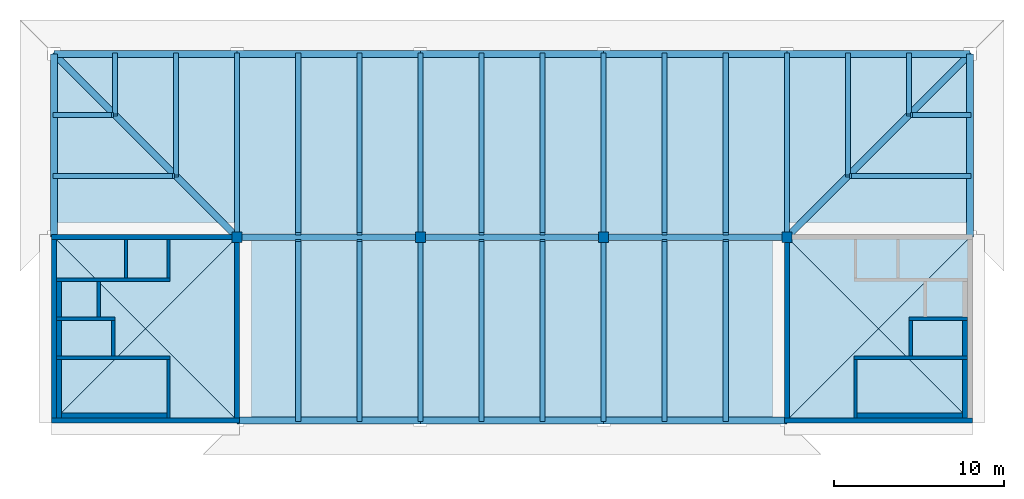
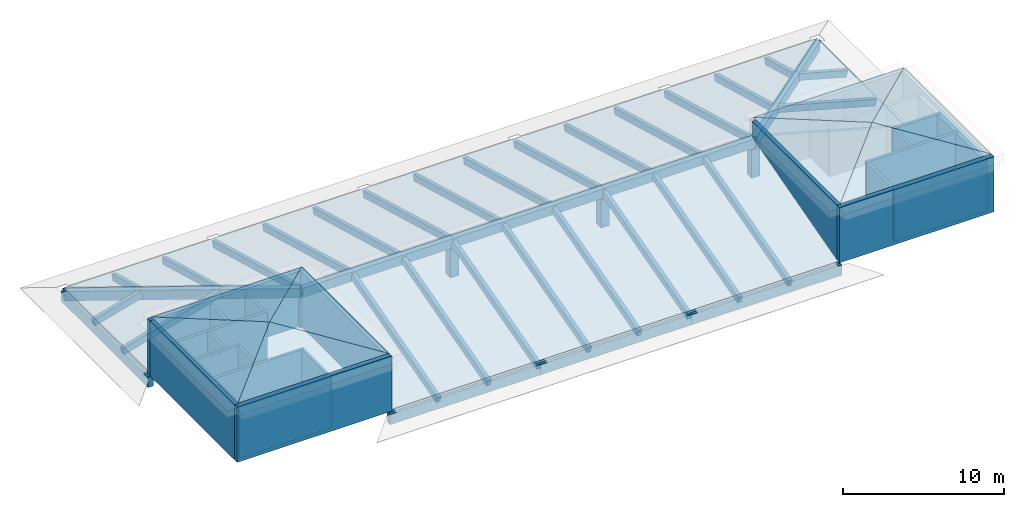
# One storey, part 1 of 3: 41 beams, 25 walls, 12 slabs, 4 columns.
"""IFC4 building model written with IfcOpenShell, lengths in metres."""

from ifc_helpers import new_model, si_unit, direction, frame, frame_2d, origin, origin_2d, place, context, subcontext, project, spatial, polyline, rectangle, outline, extrude, material, layer, layer_set, material_profile, profile_set, type_object, element, save


model = new_model("IFC4")

# Units and contexts
model_context = context("Model", 3, precision=1e-05, world=origin(), true_north=direction((0.0, 1.0)))
body_context = subcontext(model_context, "Body", "Model", "MODEL_VIEW")
ifc_project = project(units=[si_unit("LENGTHUNIT", "METRE"), si_unit("AREAUNIT", "SQUARE_METRE"), si_unit("VOLUMEUNIT", "CUBIC_METRE"), si_unit("PLANEANGLEUNIT", "RADIAN"), si_unit("MASSUNIT", "GRAM", prefix="KILO")], contexts=[model_context])

# Site, building, storey
site_placement = place(None, origin())
site = spatial("IfcSite", under=ifc_project, at=site_placement, CompositionType="ELEMENT")
building_placement = place(site_placement, origin())
building = spatial("IfcBuilding", under=site, at=building_placement, Name="Magnolia Steps Interchange", CompositionType="ELEMENT")
storey_placement = place(building_placement, frame((0.0, 0.0, 28.199951171875)))
storey = spatial("IfcBuildingStorey", under=building, at=storey_placement, Name="RF", CompositionType="ELEMENT", Elevation=28.199951171875)

# Columns
ifc_material_1 = material(Name="Concrete C40", Category="concrete")
ifc_material_profile_1 = material_profile(ifc_material_1, rectangle(XDim=0.60009765625, YDim=0.60009765625, at=origin_2d()), Name="RC600x600")
ifc_profile_set_1 = profile_set([ifc_material_profile_1], Name="Concrete C40")
column_type = type_object("IfcColumnType", Name="RC column 600x600", PredefinedType="COLUMN", material=ifc_profile_set_1)
for number, where, z_axis, x_axis, name in (
    (1, (74.800048828125, 107.199951171875, 0.0), (0.0, 0.0, 1.0), (1.0, 0.0, 0.0), "Ridge column OPE-7J"),
    (2, (85.60009765625, 107.199951171875, 0.0), (0.0, 0.0, 1.0), (1.0, 0.0, 0.0), "Ridge column OPE-8J"),
    (3, (96.39990234375, 107.199951171875, 0.0), (0.0, 0.0, 1.0), (1.0, 0.0, 0.0), "Ridge column OPE-9J"),
    (4, (107.199951171875, 107.199951171875, 0.0), (0.0, 0.0, 1.0), (1.0, 0.0, 0.0), "Ridge column OPE-10J"),
):
    element("IfcColumn", number, at=place(storey_placement, frame(where, z_axis=z_axis, x_axis=x_axis)), inside=storey, type_object=column_type, Name=name, PredefinedType="COLUMN", context=body_context, shape_type="SweptSolid", body=[
        extrude(rectangle(XDim=0.60009765625, YDim=0.60009765625, at=origin_2d()), origin(), (0.0, 0.0, 1.0), 2.150146484375),
    ])

# Beams
ifc_material_2 = material(Name="Concrete C40", Category="concrete")
ifc_material_profile_2 = material_profile(ifc_material_2, rectangle(XDim=0.39990234375, YDim=0.800048828125, at=origin_2d()), Name="RC400x800")
ifc_profile_set_2 = profile_set([ifc_material_profile_2], Name="Concrete C40")
beam_type_1 = type_object("IfcBeamType", Name="Eaves ring beam 400x800", PredefinedType="BEAM", material=ifc_profile_set_2)
for number, where, z_axis, x_axis, name in (
    (5, (64.0, 118.0, -0.550048828125), (1.0, 0.0, 0.0), (0.0, 1.0, 0.0), "Eaves ring beam"),
    (6, (74.800048828125, 96.39990234375, -0.550048828125), (1.0, 0.0, 0.0), (0.0, 1.0, 0.0), "Eaves ring beam"),
    (7, (74.800048828125, 118.0, -0.550048828125), (1.0, 0.0, 0.0), (0.0, 1.0, 0.0), "Eaves ring beam"),
):
    element("IfcBeam", number, at=place(storey_placement, frame(where, z_axis=z_axis, x_axis=x_axis)), inside=storey, type_object=beam_type_1, Name=name, PredefinedType="BEAM", context=body_context, shape_type="SweptSolid", body=[
        extrude(rectangle(XDim=0.39990234375, YDim=0.800048828125, at=origin_2d()), origin(), (0.0, 0.0, 1.0), 10.800048828125),
    ])
for number, where, z_axis, x_axis, name in (
    (8, (85.60009765625, 96.39990234375, -0.550048828125), (1.0, 0.0, 0.0), (0.0, 1.0, 0.0), "Eaves ring beam"),
    (9, (85.60009765625, 118.0, -0.550048828125), (1.0, 0.0, 0.0), (0.0, 1.0, 0.0), "Eaves ring beam"),
):
    element("IfcBeam", number, at=place(storey_placement, frame(where, z_axis=z_axis, x_axis=x_axis)), inside=storey, type_object=beam_type_1, Name=name, PredefinedType="BEAM", context=body_context, shape_type="SweptSolid", body=[
        extrude(rectangle(XDim=0.39990234375, YDim=0.800048828125, at=origin_2d()), origin(), (0.0, 0.0, 1.0), 10.7998046875),
    ])
for number, where, z_axis, x_axis, name in (
    (10, (96.39990234375, 96.39990234375, -0.550048828125), (1.0, 0.0, 0.0), (0.0, 1.0, 0.0), "Eaves ring beam"),
    (11, (96.39990234375, 118.0, -0.550048828125), (1.0, 0.0, 0.0), (0.0, 1.0, 0.0), "Eaves ring beam"),
    (12, (107.199951171875, 118.0, -0.550048828125), (1.0, 0.0, 0.0), (0.0, 1.0, 0.0), "Eaves ring beam"),
    (13, (64.0, 107.199951171875, -0.550048828125), (0.0, 1.0, 0.0), (-1.0, 0.0, 0.0), "Eaves ring beam"),
    (14, (118.0, 107.199951171875, -0.550048828125), (0.0, 1.0, 0.0), (-1.0, 0.0, 0.0), "Eaves ring beam"),
):
    element("IfcBeam", number, at=place(storey_placement, frame(where, z_axis=z_axis, x_axis=x_axis)), inside=storey, type_object=beam_type_1, Name=name, PredefinedType="BEAM", context=body_context, shape_type="SweptSolid", body=[
        extrude(rectangle(XDim=0.39990234375, YDim=0.800048828125, at=origin_2d()), origin(), (0.0, 0.0, 1.0), 10.800048828125),
    ])
ifc_material_3 = material(Name="Concrete C40", Category="concrete")
ifc_material_profile_3 = material_profile(ifc_material_3, rectangle(XDim=0.39990234375, YDim=0.699951171875, at=origin_2d()), Name="RC400x700")
ifc_profile_set_3 = profile_set([ifc_material_profile_3], Name="Concrete C40")
beam_type_2 = type_object("IfcBeamType", Name="Hip beam 400x700", PredefinedType="BEAM", material=ifc_profile_set_3)
for number, where, z_axis, x_axis, name in (
    (15, (64.0, 118.0, -0.509521484375), (0.693849126571, -0.693849126571, 0.192734997113), (0.707106781187, 0.707106781187, 0.0), "Hip beam"),
    (16, (118.0, 118.0, -0.509521484375), (-0.693849126571, -0.693849126571, 0.192734997113), (0.707106781187, -0.707106781187, 0.0), "Hip beam"),
):
    element("IfcBeam", number, at=place(storey_placement, frame(where, z_axis=z_axis, x_axis=x_axis)), inside=storey, type_object=beam_type_2, Name=name, PredefinedType="BEAM", context=body_context, shape_type="SweptSolid", body=[
        extrude(rectangle(XDim=0.39990234375, YDim=0.699951171875, at=origin_2d()), origin(), (0.0, 0.0, 1.0), 15.5654296875),
    ])
ifc_material_4 = material(Name="Concrete C40", Category="concrete")
ifc_material_profile_4 = material_profile(ifc_material_4, rectangle(XDim=0.39990234375, YDim=0.699951171875, at=origin_2d()), Name="RC400x700")
ifc_profile_set_4 = profile_set([ifc_material_profile_4], Name="Concrete C40")
beam_type_3 = type_object("IfcBeamType", Name="Ridge beam 400x700", PredefinedType="BEAM", material=ifc_profile_set_4)
beam_1_placement = place(storey_placement, frame((74.800048828125, 107.199951171875, 2.5), z_axis=(1.0, 0.0, 0.0), x_axis=(0.0, 1.0, 0.0)))
element("IfcBeam", 17, at=beam_1_placement, inside=storey, type_object=beam_type_3, Name="Ridge beam", PredefinedType="BEAM", context=body_context, shape_type="SweptSolid", body=[
    extrude(rectangle(XDim=0.39990234375, YDim=0.699951171875, at=origin_2d()), origin(), (0.0, 0.0, 1.0), 10.800048828125),
])
beam_2_placement = place(storey_placement, frame((85.60009765625, 107.199951171875, 2.5), z_axis=(1.0, 0.0, 0.0), x_axis=(0.0, 1.0, 0.0)))
element("IfcBeam", 18, at=beam_2_placement, inside=storey, type_object=beam_type_3, Name="Ridge beam", PredefinedType="BEAM", context=body_context, shape_type="SweptSolid", body=[
    extrude(rectangle(XDim=0.39990234375, YDim=0.699951171875, at=origin_2d()), origin(), (0.0, 0.0, 1.0), 10.7998046875),
])
beam_3_placement = place(storey_placement, frame((96.39990234375, 107.199951171875, 2.5), z_axis=(1.0, 0.0, 0.0), x_axis=(0.0, 1.0, 0.0)))
element("IfcBeam", 19, at=beam_3_placement, inside=storey, type_object=beam_type_3, Name="Ridge beam", PredefinedType="BEAM", context=body_context, shape_type="SweptSolid", body=[
    extrude(rectangle(XDim=0.39990234375, YDim=0.699951171875, at=origin_2d()), origin(), (0.0, 0.0, 1.0), 10.800048828125),
])
ifc_material_5 = material(Name="Concrete C40", Category="concrete")
ifc_material_profile_5 = material_profile(ifc_material_5, rectangle(XDim=0.300048828125, YDim=0.5, at=origin_2d()), Name="RC300x500")
ifc_profile_set_5 = profile_set([ifc_material_profile_5], Name="Concrete C40")
beam_type_4 = type_object("IfcBeamType", Name="Roof rafter 300x500", PredefinedType="BEAM", material=ifc_profile_set_5)
for number, where, z_axis, x_axis, name in (
    (20, (78.39990234375, 96.40087890625, -0.414794921875), (0.0, 0.963519817554, 0.267636995164), (-1.0, 0.0, 0.0), "Roof rafter"),
    (21, (82.0, 96.40087890625, -0.414794921875), (0.0, 0.963519817554, 0.267636995164), (-1.0, 0.0, 0.0), "Roof rafter"),
    (22, (85.60009765625, 96.40087890625, -0.414794921875), (0.0, 0.963519817554, 0.267636995164), (-1.0, 0.0, 0.0), "Roof rafter"),
    (23, (89.199951171875, 96.40087890625, -0.414794921875), (0.0, 0.963519817554, 0.267636995164), (-1.0, 0.0, 0.0), "Roof rafter"),
    (24, (92.800048828125, 96.40087890625, -0.414794921875), (0.0, 0.963519817554, 0.267636995164), (-1.0, 0.0, 0.0), "Roof rafter"),
    (25, (96.39990234375, 96.40087890625, -0.414794921875), (0.0, 0.963519817554, 0.267636995164), (-1.0, 0.0, 0.0), "Roof rafter"),
    (26, (100.0, 96.40087890625, -0.414794921875), (0.0, 0.963519817554, 0.267636995164), (-1.0, 0.0, 0.0), "Roof rafter"),
    (27, (103.60009765625, 96.40087890625, -0.414794921875), (0.0, 0.963519817554, 0.267636995164), (-1.0, 0.0, 0.0), "Roof rafter"),
):
    element("IfcBeam", number, at=place(storey_placement, frame(where, z_axis=z_axis, x_axis=x_axis)), inside=storey, type_object=beam_type_4, Name=name, PredefinedType="BEAM", context=body_context, shape_type="SweptSolid", body=[
        extrude(rectangle(XDim=0.300048828125, YDim=0.5, at=origin_2d()), origin(), (0.0, 0.0, 1.0), 10.99951171875),
    ])
beam_4_placement = place(storey_placement, frame((67.60009765625, 117.9990234375, -0.414794921875), z_axis=(0.0, -0.96351603636, 0.267650607468), x_axis=(1.0, 0.0, 0.0)))
element("IfcBeam", 28, at=beam_4_placement, inside=storey, type_object=beam_type_4, Name="Roof rafter", PredefinedType="BEAM", context=body_context, shape_type="SweptSolid", body=[
    extrude(rectangle(XDim=0.300048828125, YDim=0.5, at=origin_2d()), origin(), (0.0, 0.0, 1.0), 3.734375),
])
beam_5_placement = place(storey_placement, frame((71.199951171875, 117.9990234375, -0.414794921875), z_axis=(0.0, -0.963515568592, 0.26765229138), x_axis=(1.0, 0.0, 0.0)))
element("IfcBeam", 29, at=beam_5_placement, inside=storey, type_object=beam_type_4, Name="Roof rafter", PredefinedType="BEAM", context=body_context, shape_type="SweptSolid", body=[
    extrude(rectangle(XDim=0.300048828125, YDim=0.5, at=origin_2d()), origin(), (0.0, 0.0, 1.0), 7.470458984375),
])
for number, where, z_axis, x_axis, name in (
    (30, (74.800048828125, 117.9990234375, -0.414794921875), (0.0, -0.963519817554, 0.267636995164), (1.0, 0.0, 0.0), "Roof rafter"),
    (31, (78.39990234375, 117.9990234375, -0.414794921875), (0.0, -0.963519817554, 0.267636995164), (1.0, 0.0, 0.0), "Roof rafter"),
    (32, (82.0, 117.9990234375, -0.414794921875), (0.0, -0.963519817554, 0.267636995164), (1.0, 0.0, 0.0), "Roof rafter"),
    (33, (85.60009765625, 117.9990234375, -0.414794921875), (0.0, -0.963519817554, 0.267636995164), (1.0, 0.0, 0.0), "Roof rafter"),
    (34, (89.199951171875, 117.9990234375, -0.414794921875), (0.0, -0.963519817554, 0.267636995164), (1.0, 0.0, 0.0), "Roof rafter"),
    (35, (92.800048828125, 117.9990234375, -0.414794921875), (0.0, -0.963519817554, 0.267636995164), (1.0, 0.0, 0.0), "Roof rafter"),
    (36, (96.39990234375, 117.9990234375, -0.414794921875), (0.0, -0.963519817554, 0.267636995164), (1.0, 0.0, 0.0), "Roof rafter"),
    (37, (100.0, 117.9990234375, -0.414794921875), (0.0, -0.963519817554, 0.267636995164), (1.0, 0.0, 0.0), "Roof rafter"),
    (38, (103.60009765625, 117.9990234375, -0.414794921875), (0.0, -0.963519817554, 0.267636995164), (1.0, 0.0, 0.0), "Roof rafter"),
    (39, (107.199951171875, 117.9990234375, -0.414794921875), (0.0, -0.963519817554, 0.267636995164), (1.0, 0.0, 0.0), "Roof rafter"),
):
    element("IfcBeam", number, at=place(storey_placement, frame(where, z_axis=z_axis, x_axis=x_axis)), inside=storey, type_object=beam_type_4, Name=name, PredefinedType="BEAM", context=body_context, shape_type="SweptSolid", body=[
        extrude(rectangle(XDim=0.300048828125, YDim=0.5, at=origin_2d()), origin(), (0.0, 0.0, 1.0), 10.99951171875),
    ])
beam_6_placement = place(storey_placement, frame((110.800048828125, 117.9990234375, -0.414794921875), z_axis=(0.0, -0.963515568592, 0.26765229138), x_axis=(1.0, 0.0, 0.0)))
element("IfcBeam", 40, at=beam_6_placement, inside=storey, type_object=beam_type_4, Name="Roof rafter", PredefinedType="BEAM", context=body_context, shape_type="SweptSolid", body=[
    extrude(rectangle(XDim=0.300048828125, YDim=0.5, at=origin_2d()), origin(), (0.0, 0.0, 1.0), 7.470458984375),
])
beam_7_placement = place(storey_placement, frame((114.39990234375, 117.9990234375, -0.414794921875), z_axis=(0.0, -0.96351603636, 0.267650607468), x_axis=(1.0, 0.0, 0.0)))
element("IfcBeam", 41, at=beam_7_placement, inside=storey, type_object=beam_type_4, Name="Roof rafter", PredefinedType="BEAM", context=body_context, shape_type="SweptSolid", body=[
    extrude(rectangle(XDim=0.300048828125, YDim=0.5, at=origin_2d()), origin(), (0.0, 0.0, 1.0), 3.734375),
])
beam_8_placement = place(storey_placement, frame((64.0009765625, 110.800048828125, -0.414794921875), z_axis=(0.963519344096, 0.0, 0.267638699654), x_axis=(0.0, 1.0, 0.0)))
element("IfcBeam", 42, at=beam_8_placement, inside=storey, type_object=beam_type_4, Name="Roof rafter", PredefinedType="BEAM", context=body_context, shape_type="SweptSolid", body=[
    extrude(rectangle(XDim=0.300048828125, YDim=0.5, at=origin_2d()), origin(), (0.0, 0.0, 1.0), 7.31494140625),
])
beam_9_placement = place(storey_placement, frame((64.0009765625, 114.39990234375, -0.414794921875), z_axis=(0.963518887036, 0.0, 0.2676403451), x_axis=(0.0, 1.0, 0.0)))
element("IfcBeam", 43, at=beam_9_placement, inside=storey, type_object=beam_type_4, Name="Roof rafter", PredefinedType="BEAM", context=body_context, shape_type="SweptSolid", body=[
    extrude(rectangle(XDim=0.300048828125, YDim=0.5, at=origin_2d()), origin(), (0.0, 0.0, 1.0), 3.57861328125),
])
beam_10_placement = place(storey_placement, frame((110.950927734375, 110.800048828125, 1.54296875), z_axis=(0.963519344096, 0.0, -0.267638699654), x_axis=(0.0, 1.0, 0.0)))
element("IfcBeam", 44, at=beam_10_placement, inside=storey, type_object=beam_type_4, Name="Roof rafter", PredefinedType="BEAM", context=body_context, shape_type="SweptSolid", body=[
    extrude(rectangle(XDim=0.300048828125, YDim=0.5, at=origin_2d()), origin(), (0.0, 0.0, 1.0), 7.31494140625),
])
beam_11_placement = place(storey_placement, frame((114.551025390625, 114.39990234375, 0.54296875), z_axis=(0.963518887036, 0.0, -0.2676403451), x_axis=(0.0, 1.0, 0.0)))
element("IfcBeam", 45, at=beam_11_placement, inside=storey, type_object=beam_type_4, Name="Roof rafter", PredefinedType="BEAM", context=body_context, shape_type="SweptSolid", body=[
    extrude(rectangle(XDim=0.300048828125, YDim=0.5, at=origin_2d()), origin(), (0.0, 0.0, 1.0), 3.57861328125),
])

# Slabs
ifc_material_6 = material(Name="Concrete C40", Category="concrete")
ifc_layer_1 = layer(ifc_material_6, 0.14990234375)
ifc_layer_set_1 = layer_set([ifc_layer_1], Name="Hip roof slab 150")
slab_type_1 = type_object("IfcSlabType", Name="Hip roof slab 150", PredefinedType="ROOF", material=ifc_layer_set_1)
slab_1_placement = place(storey_placement, frame((107.199951171875, 96.39990234375, 0.0), z_axis=(0.0, -0.26764274042, 0.963518221675), x_axis=(0.0, 0.963518221675, 0.26764274042)))
element("IfcSlab", 46, at=slab_1_placement, inside=storey, type_object=slab_type_1, Name="Operations hip roof S", PredefinedType="ROOF", context=body_context, shape_type="SweptSolid", body=[
    extrude(outline(polyline([(0.0, 0.0), (11.208972062, 0.0), (11.208972062, 32.399902344), (0.0, 32.399902344), (0.0, 0.0)])), origin(), (-0.26764274042, 0.0, -0.963518221675), 0.15576171875),
])
slab_2_placement = place(storey_placement, frame((74.800048828125, 107.199951171875, 3.0), z_axis=(0.0, 0.26764274042, 0.963518221675), x_axis=(1.0, 0.0, 0.0)))
element("IfcSlab", 47, at=slab_2_placement, inside=storey, type_object=slab_type_1, Name="Operations hip roof N", PredefinedType="ROOF", context=body_context, shape_type="SweptSolid", body=[
    extrude(outline(polyline([(0.0, 0.0), (32.399902344, 0.0), (43.199951172, 11.208972062), (-10.800048828, 11.208972062), (0.0, 0.0)])), origin(), (0.0, 0.26764274042, -0.963518221675), 0.15576171875),
])
slab_3_placement = place(storey_placement, frame((64.0, 107.199951171875, 0.0), z_axis=(-0.26764274042, 0.0, 0.963518221675), x_axis=(0.963518221675, 0.0, 0.26764274042)))
element("IfcSlab", 48, at=slab_3_placement, inside=storey, type_object=slab_type_1, Name="Operations hip roof W", PredefinedType="ROOF", context=body_context, shape_type="SweptSolid", body=[
    extrude(outline(polyline([(0.0, 0.0), (11.208972062, 0.0), (0.0, 10.800048828), (0.0, 0.0)])), origin(), (-0.26764274042, 0.0, -0.963518221675), 0.15576171875),
])
slab_4_placement = place(storey_placement, frame((107.199951171875, 107.199951171875, 3.0), z_axis=(0.26764274042, 0.0, 0.963518221675), x_axis=(0.963518221675, 0.0, -0.26764274042)))
element("IfcSlab", 49, at=slab_4_placement, inside=storey, type_object=slab_type_1, Name="Operations hip roof E", PredefinedType="ROOF", context=body_context, shape_type="SweptSolid", body=[
    extrude(outline(polyline([(0.0, 0.0), (11.208972062, 0.0), (11.208972062, 10.800048828), (0.0, 0.0)])), origin(), (0.26764274042, 0.0, -0.963518221675), 0.15576171875),
])
ifc_material_7 = material(Name="Concrete C40", Category="concrete")
ifc_layer_2 = layer(ifc_material_7, 0.14990234375)
ifc_layer_set_2 = layer_set([ifc_layer_2], Name="Pavilion roof slab 150")
slab_type_2 = type_object("IfcSlabType", Name="Pavilion roof slab 150", PredefinedType="ROOF", material=ifc_layer_set_2)
slab_5_placement = place(storey_placement, frame((64.0, 96.39990234375, 4.34765625), z_axis=(0.0, -0.182084484594, 0.983282889341), x_axis=(1.0, 0.0, 0.0)))
element("IfcSlab", 50, at=slab_5_placement, inside=storey, type_object=slab_type_2, Name="Pavilion roof slab OC-W 1", PredefinedType="ROOF", context=body_context, shape_type="SweptSolid", body=[
    extrude(outline(polyline([(0.0, 0.0), (10.800048828, 0.0), (5.399902344, 5.491956123), (0.0, 0.0)])), origin(), (0.0, -0.182084484594, -0.983282889341), 0.152587890625),
])
slab_6_placement = place(storey_placement, frame((74.800048828125, 107.199951171875, 4.34765625), z_axis=(0.0, 0.182092444044, 0.983281415375), x_axis=(-1.0, 0.0, 0.0)))
element("IfcSlab", 51, at=slab_6_placement, inside=storey, type_object=slab_type_2, Name="Pavilion roof slab OC-W 2", PredefinedType="ROOF", context=body_context, shape_type="SweptSolid", body=[
    extrude(outline(polyline([(0.0, 0.0), (10.800048828, 0.0), (5.400146484, 5.491716063), (0.0, 0.0)])), origin(), (0.0, -0.182092444044, -0.983281415375), 0.152587890625),
])
slab_7_placement = place(storey_placement, frame((64.0, 107.199951171875, 4.34765625), z_axis=(-0.182092444044, 0.0, 0.983281415375), x_axis=(0.0, -1.0, 0.0)))
element("IfcSlab", 52, at=slab_7_placement, inside=storey, type_object=slab_type_2, Name="Pavilion roof slab OC-W 3", PredefinedType="ROOF", context=body_context, shape_type="SweptSolid", body=[
    extrude(outline(polyline([(0.0, 0.0), (10.800048828, 0.0), (5.399902344, 5.491716063), (0.0, 0.0)])), origin(), (0.0, -0.182092444044, -0.983281415375), 0.152587890625),
])
for number, where, z_axis, x_axis, name in (
    (53, (74.800048828125, 96.39990234375, 4.34765625), (0.182084484594, 0.0, 0.983282889341), (0.0, 1.0, 0.0), "Pavilion roof slab OC-W 4"),
    (54, (107.199951171875, 96.39990234375, 4.34765625), (0.0, -0.182084484594, 0.983282889341), (1.0, 0.0, 0.0), "Pavilion roof slab OC-E 1"),
):
    element("IfcSlab", number, at=place(storey_placement, frame(where, z_axis=z_axis, x_axis=x_axis)), inside=storey, type_object=slab_type_2, Name=name, PredefinedType="ROOF", context=body_context, shape_type="SweptSolid", body=[
        extrude(outline(polyline([(0.0, 0.0), (10.800048828, 0.0), (5.400146484, 5.491956123), (0.0, 0.0)])), origin(), (0.0, -0.182084484594, -0.983282889341), 0.152587890625),
    ])
slab_8_placement = place(storey_placement, frame((118.0, 107.199951171875, 4.34765625), z_axis=(0.0, 0.182092444044, 0.983281415375), x_axis=(-1.0, 0.0, 0.0)))
element("IfcSlab", 55, at=slab_8_placement, inside=storey, type_object=slab_type_2, Name="Pavilion roof slab OC-E 2", PredefinedType="ROOF", context=body_context, shape_type="SweptSolid", body=[
    extrude(outline(polyline([(0.0, 0.0), (10.800048828, 0.0), (5.399902344, 5.491716063), (0.0, 0.0)])), origin(), (0.0, -0.182092444044, -0.983281415375), 0.152587890625),
])
slab_9_placement = place(storey_placement, frame((107.199951171875, 107.199951171875, 4.34765625), z_axis=(-0.182084484594, 0.0, 0.983282889341), x_axis=(0.0, -1.0, 0.0)))
element("IfcSlab", 56, at=slab_9_placement, inside=storey, type_object=slab_type_2, Name="Pavilion roof slab OC-E 3", PredefinedType="ROOF", context=body_context, shape_type="SweptSolid", body=[
    extrude(outline(polyline([(0.0, 0.0), (10.800048828, 0.0), (5.399902344, 5.491956123), (0.0, 0.0)])), origin(), (0.0, -0.182084484594, -0.983282889341), 0.152587890625),
])
slab_10_placement = place(storey_placement, frame((118.0, 96.39990234375, 4.34765625), z_axis=(0.182092444044, 0.0, 0.983281415375), x_axis=(0.0, 1.0, 0.0)))
element("IfcSlab", 57, at=slab_10_placement, inside=storey, type_object=slab_type_2, Name="Pavilion roof slab OC-E 4", PredefinedType="ROOF", context=body_context, shape_type="SweptSolid", body=[
    extrude(outline(polyline([(0.0, 0.0), (10.800048828, 0.0), (5.400146484, 5.491716063), (0.0, 0.0)])), origin(), (0.0, -0.182092444044, -0.983281415375), 0.152587890625),
])

# Walls
ifc_material_8 = material(Name="Concrete C35", Category="concrete")
ifc_layer_3 = layer(ifc_material_8, 0.199951171875)
ifc_layer_set_3 = layer_set([ifc_layer_3], Name="Core enclosure wall 200")
wall_type_1 = type_object("IfcWallType", Name="Core enclosure wall 200", PredefinedType="SOLIDWALL", material=ifc_layer_set_3)
wall_1_placement = place(storey_placement, frame((70.75, 96.550048828125, 0.0), z_axis=(0.0, 0.0, 1.0), x_axis=(0.0, 1.0, 0.0)))
element("IfcWall", 58, at=wall_1_placement, inside=storey, type_object=wall_type_1, Name="RF OC-W enclosure wall", PredefinedType="SOLIDWALL", context=body_context, shape_type="SweptSolid", body=[
    extrude(rectangle(XDim=3.449951171875, YDim=0.199951171875, at=frame_2d((1.72509765625, 0.0))), origin(), (0.0, 0.0, 1.0), 3.900146484375),
])
wall_2_placement = place(storey_placement, frame((70.85009765625, 100.10009765625, 0.0), z_axis=(0.0, 0.0, 1.0), x_axis=(-1.0, 0.0, 0.0)))
element("IfcWall", 59, at=wall_2_placement, inside=storey, type_object=wall_type_1, Name="RF OC-W enclosure wall", PredefinedType="SOLIDWALL", context=body_context, shape_type="SweptSolid", body=[
    extrude(rectangle(XDim=6.7001953125, YDim=0.199951171875, at=frame_2d((3.35009765625, 0.0))), origin(), (0.0, 0.0, 1.0), 3.900146484375),
])
wall_3_placement = place(storey_placement, frame((67.5, 100.199951171875, 0.0), z_axis=(0.0, 0.0, 1.0), x_axis=(0.0, 1.0, 0.0)))
element("IfcWall", 60, at=wall_3_placement, inside=storey, type_object=wall_type_1, Name="RF OC-W enclosure wall", PredefinedType="SOLIDWALL", context=body_context, shape_type="SweptSolid", body=[
    extrude(rectangle(XDim=2.10009765625, YDim=0.199951171875, at=frame_2d((1.050048828125, 0.0))), origin(), (0.0, 0.0, 1.0), 3.900146484375),
])
wall_4_placement = place(storey_placement, frame((67.60009765625, 102.39990234375, 0.0), z_axis=(0.0, 0.0, 1.0), x_axis=(-1.0, 0.0, 0.0)))
element("IfcWall", 61, at=wall_4_placement, inside=storey, type_object=wall_type_1, Name="RF OC-W enclosure wall", PredefinedType="SOLIDWALL", context=body_context, shape_type="SweptSolid", body=[
    extrude(rectangle(XDim=3.4501953125, YDim=0.199951171875, at=frame_2d((1.72509765625, 0.0))), origin(), (0.0, 0.0, 1.0), 3.900146484375),
])
wall_5_placement = place(storey_placement, frame((66.64990234375, 102.5, 0.0), z_axis=(0.0, 0.0, 1.0), x_axis=(0.0, 1.0, 0.0)))
element("IfcWall", 62, at=wall_5_placement, inside=storey, type_object=wall_type_1, Name="RF OC-W enclosure wall", PredefinedType="SOLIDWALL", context=body_context, shape_type="SweptSolid", body=[
    extrude(rectangle(XDim=2.10009765625, YDim=0.199951171875, at=frame_2d((1.050048828125, 0.0))), origin(), (0.0, 0.0, 1.0), 3.900146484375),
])
wall_6_placement = place(storey_placement, frame((70.85009765625, 104.699951171875, 0.0), z_axis=(0.0, 0.0, 1.0), x_axis=(-1.0, 0.0, 0.0)))
element("IfcWall", 63, at=wall_6_placement, inside=storey, type_object=wall_type_1, Name="RF OC-W enclosure wall", PredefinedType="SOLIDWALL", context=body_context, shape_type="SweptSolid", body=[
    extrude(rectangle(XDim=6.7001953125, YDim=0.199951171875, at=frame_2d((3.35009765625, 0.0))), origin(), (0.0, 0.0, 1.0), 3.900146484375),
])
wall_7_placement = place(storey_placement, frame((70.75, 104.800048828125, 0.0), z_axis=(0.0, 0.0, 1.0), x_axis=(0.0, 1.0, 0.0)))
element("IfcWall", 64, at=wall_7_placement, inside=storey, type_object=wall_type_1, Name="RF OC-W enclosure wall", PredefinedType="SOLIDWALL", context=body_context, shape_type="SweptSolid", body=[
    extrude(rectangle(XDim=2.25, YDim=0.199951171875, at=frame_2d((1.125, 0.0))), origin(), (0.0, 0.0, 1.0), 3.900146484375),
])
wall_8_placement = place(storey_placement, frame((114.39990234375, 102.39990234375, 0.0), z_axis=(0.0, 0.0, 1.0), x_axis=(1.0, 0.0, 0.0)))
element("IfcWall", 65, at=wall_8_placement, inside=storey, type_object=wall_type_1, Name="RF OC-E enclosure wall", PredefinedType="SOLIDWALL", context=body_context, shape_type="SweptSolid", body=[
    extrude(rectangle(XDim=3.4501953125, YDim=0.199951171875, at=frame_2d((1.72509765625, 0.0))), origin(), (0.0, 0.0, 1.0), 3.900146484375),
])
wall_9_placement = place(storey_placement, frame((114.5, 102.300048828125, 0.0), z_axis=(0.0, 0.0, 1.0), x_axis=(0.0, -1.0, 0.0)))
element("IfcWall", 66, at=wall_9_placement, inside=storey, type_object=wall_type_1, Name="RF OC-E enclosure wall", PredefinedType="SOLIDWALL", context=body_context, shape_type="SweptSolid", body=[
    extrude(rectangle(XDim=2.10009765625, YDim=0.199951171875, at=frame_2d((1.050048828125, 0.0))), origin(), (0.0, 0.0, 1.0), 3.900146484375),
])
wall_10_placement = place(storey_placement, frame((111.14990234375, 100.10009765625, 0.0), z_axis=(0.0, 0.0, 1.0), x_axis=(1.0, 0.0, 0.0)))
element("IfcWall", 67, at=wall_10_placement, inside=storey, type_object=wall_type_1, Name="RF OC-E enclosure wall", PredefinedType="SOLIDWALL", context=body_context, shape_type="SweptSolid", body=[
    extrude(rectangle(XDim=6.7001953125, YDim=0.199951171875, at=frame_2d((3.35009765625, 0.0))), origin(), (0.0, 0.0, 1.0), 3.900146484375),
])
wall_11_placement = place(storey_placement, frame((111.25, 100.0, 0.0), z_axis=(0.0, 0.0, 1.0), x_axis=(0.0, -1.0, 0.0)))
element("IfcWall", 68, at=wall_11_placement, inside=storey, type_object=wall_type_1, Name="RF OC-E enclosure wall", PredefinedType="SOLIDWALL", context=body_context, shape_type="SweptSolid", body=[
    extrude(rectangle(XDim=3.449951171875, YDim=0.199951171875, at=frame_2d((1.72509765625, 0.0))), origin(), (0.0, 0.0, 1.0), 3.900146484375),
])
ifc_material_9 = material(Name="Concrete C35", Category="concrete")
ifc_layer_4 = layer(ifc_material_9, 0.300048828125)
ifc_layer_set_4 = layer_set([ifc_layer_4], Name="Core lining wall 300")
wall_type_2 = type_object("IfcWallType", Name="Core lining wall 300", PredefinedType="SOLIDWALL", material=ifc_layer_set_4)
wall_12_placement = place(storey_placement, frame((70.85009765625, 96.699951171875, 0.0), z_axis=(0.0, 0.0, 1.0), x_axis=(-1.0, 0.0, 0.0)))
element("IfcWall", 69, at=wall_12_placement, inside=storey, type_object=wall_type_2, Name="RF OC-W stair lining wall", PredefinedType="SOLIDWALL", context=body_context, shape_type="SweptSolid", body=[
    extrude(rectangle(XDim=6.7001953125, YDim=0.300048828125, at=frame_2d((3.35009765625, 0.0))), origin(), (0.0, 0.0, 1.0), 3.900146484375),
])
wall_13_placement = place(storey_placement, frame((64.300048828125, 96.550048828125, 0.0), z_axis=(0.0, 0.0, 1.0), x_axis=(0.0, 1.0, 0.0)))
element("IfcWall", 70, at=wall_13_placement, inside=storey, type_object=wall_type_2, Name="RF OC-W stair lining wall", PredefinedType="SOLIDWALL", context=body_context, shape_type="SweptSolid", body=[
    extrude(rectangle(XDim=3.449951171875, YDim=0.300048828125, at=frame_2d((1.72509765625, 0.0))), origin(), (0.0, 0.0, 1.0), 3.900146484375),
])
for number, where, z_axis, x_axis, name in (
    (71, (64.300048828125, 100.199951171875, 0.0), (0.0, 0.0, 1.0), (0.0, 1.0, 0.0), "RF OC-W stair lining wall"),
    (72, (64.300048828125, 102.5, 0.0), (0.0, 0.0, 1.0), (0.0, 1.0, 0.0), "RF OC-W stair lining wall"),
):
    element("IfcWall", number, at=place(storey_placement, frame(where, z_axis=z_axis, x_axis=x_axis)), inside=storey, type_object=wall_type_2, Name=name, PredefinedType="SOLIDWALL", context=body_context, shape_type="SweptSolid", body=[
        extrude(rectangle(XDim=2.10009765625, YDim=0.300048828125, at=frame_2d((1.050048828125, 0.0))), origin(), (0.0, 0.0, 1.0), 3.900146484375),
    ])
wall_14_placement = place(storey_placement, frame((111.14990234375, 96.699951171875, 0.0), z_axis=(0.0, 0.0, 1.0), x_axis=(1.0, 0.0, 0.0)))
element("IfcWall", 73, at=wall_14_placement, inside=storey, type_object=wall_type_2, Name="RF OC-E stair lining wall", PredefinedType="SOLIDWALL", context=body_context, shape_type="SweptSolid", body=[
    extrude(rectangle(XDim=6.7001953125, YDim=0.300048828125, at=frame_2d((3.35009765625, 0.0))), origin(), (0.0, 0.0, 1.0), 3.900146484375),
])
wall_15_placement = place(storey_placement, frame((117.699951171875, 100.0, 0.0), z_axis=(0.0, 0.0, 1.0), x_axis=(0.0, -1.0, 0.0)))
element("IfcWall", 74, at=wall_15_placement, inside=storey, type_object=wall_type_2, Name="RF OC-E stair lining wall", PredefinedType="SOLIDWALL", context=body_context, shape_type="SweptSolid", body=[
    extrude(rectangle(XDim=3.449951171875, YDim=0.300048828125, at=frame_2d((1.72509765625, 0.0))), origin(), (0.0, 0.0, 1.0), 3.900146484375),
])
wall_16_placement = place(storey_placement, frame((117.699951171875, 102.300048828125, 0.0), z_axis=(0.0, 0.0, 1.0), x_axis=(0.0, -1.0, 0.0)))
element("IfcWall", 75, at=wall_16_placement, inside=storey, type_object=wall_type_2, Name="RF OC-E stair lining wall", PredefinedType="SOLIDWALL", context=body_context, shape_type="SweptSolid", body=[
    extrude(rectangle(XDim=2.10009765625, YDim=0.300048828125, at=frame_2d((1.050048828125, 0.0))), origin(), (0.0, 0.0, 1.0), 3.900146484375),
])
ifc_material_10 = material(Name="Fair-faced blockwork", Category="masonry")
ifc_layer_5 = layer(ifc_material_10, 0.199951171875)
ifc_layer_set_5 = layer_set([ifc_layer_5], Name="Core partition 200")
wall_type_3 = type_object("IfcWallType", Name="Core partition 200", PredefinedType="PARTITIONING", material=ifc_layer_set_5)
wall_17_placement = place(storey_placement, frame((68.25, 104.800048828125, 0.0), z_axis=(0.0, 0.0, 1.0), x_axis=(0.0, 1.0, 0.0)))
element("IfcWall", 76, at=wall_17_placement, inside=storey, type_object=wall_type_3, Name="RF OC-W toilet partition", PredefinedType="PARTITIONING", context=body_context, shape_type="SweptSolid", body=[
    extrude(rectangle(XDim=2.25, YDim=0.199951171875, at=frame_2d((1.125, 0.0))), origin(), (0.0, 0.0, 1.0), 3.900146484375),
])
ifc_material_11 = material(Name="Concrete C40", Category="concrete")
ifc_layer_6 = layer(ifc_material_11, 0.300048828125)
ifc_layer_set_6 = layer_set([ifc_layer_6], Name="Core wall 300")
wall_type_4 = type_object("IfcWallType", Name="Core wall 300", PredefinedType="SOLIDWALL", material=ifc_layer_set_6)
wall_18_placement = place(storey_placement, frame((63.85009765625, 96.39990234375, 0.0), z_axis=(0.0, 0.0, 1.0), x_axis=(1.0, 0.0, 0.0)))
element("IfcWall", 77, at=wall_18_placement, inside=storey, type_object=wall_type_4, Name="Core wall OC-W", PredefinedType="SOLIDWALL", context=body_context, shape_type="SweptSolid", body=[
    extrude(rectangle(XDim=11.099853515625, YDim=0.300048828125, at=frame_2d((5.5498046875, 0.0))), origin(), (0.0, 0.0, 1.0), 4.199951171875),
])
wall_19_placement = place(storey_placement, frame((74.800048828125, 96.550048828125, 0.0), z_axis=(0.0, 0.0, 1.0), x_axis=(0.0, 1.0, 0.0)))
element("IfcWall", 78, at=wall_19_placement, inside=storey, type_object=wall_type_4, Name="Core wall OC-W", PredefinedType="SOLIDWALL", context=body_context, shape_type="SweptSolid", body=[
    extrude(rectangle(XDim=10.5, YDim=0.300048828125, at=frame_2d((5.25, 0.0))), origin(), (0.0, 0.0, 1.0), 4.199951171875),
])
wall_20_placement = place(storey_placement, frame((74.949951171875, 107.199951171875, 0.0), z_axis=(0.0, 0.0, 1.0), x_axis=(-1.0, 0.0, 0.0)))
element("IfcWall", 79, at=wall_20_placement, inside=storey, type_object=wall_type_4, Name="Core wall OC-W", PredefinedType="SOLIDWALL", context=body_context, shape_type="SweptSolid", body=[
    extrude(rectangle(XDim=11.099853515625, YDim=0.300048828125, at=frame_2d((5.5498046875, 0.0))), origin(), (0.0, 0.0, 1.0), 4.199951171875),
])
wall_21_placement = place(storey_placement, frame((64.0, 107.050048828125, 0.0), z_axis=(0.0, 0.0, 1.0), x_axis=(0.0, -1.0, 0.0)))
element("IfcWall", 80, at=wall_21_placement, inside=storey, type_object=wall_type_4, Name="Core wall OC-W", PredefinedType="SOLIDWALL", context=body_context, shape_type="SweptSolid", body=[
    extrude(rectangle(XDim=10.5, YDim=0.300048828125, at=frame_2d((5.25, 0.0))), origin(), (0.0, 0.0, 1.0), 4.199951171875),
])
wall_22_placement = place(storey_placement, frame((107.050048828125, 96.39990234375, 0.0), z_axis=(0.0, 0.0, 1.0), x_axis=(1.0, 0.0, 0.0)))
element("IfcWall", 81, at=wall_22_placement, inside=storey, type_object=wall_type_4, Name="Core wall OC-E", PredefinedType="SOLIDWALL", context=body_context, shape_type="SweptSolid", body=[
    extrude(rectangle(XDim=11.099853515625, YDim=0.300048828125, at=frame_2d((5.5498046875, 0.0))), origin(), (0.0, 0.0, 1.0), 4.199951171875),
])
wall_23_placement = place(storey_placement, frame((107.199951171875, 107.050048828125, 0.0), z_axis=(0.0, 0.0, 1.0), x_axis=(0.0, -1.0, 0.0)))
element("IfcWall", 82, at=wall_23_placement, inside=storey, type_object=wall_type_4, Name="Core wall OC-E", PredefinedType="SOLIDWALL", context=body_context, shape_type="SweptSolid", body=[
    extrude(rectangle(XDim=10.5, YDim=0.300048828125, at=frame_2d((5.25, 0.0))), origin(), (0.0, 0.0, 1.0), 4.199951171875),
])

save(model, "model.ifc")
